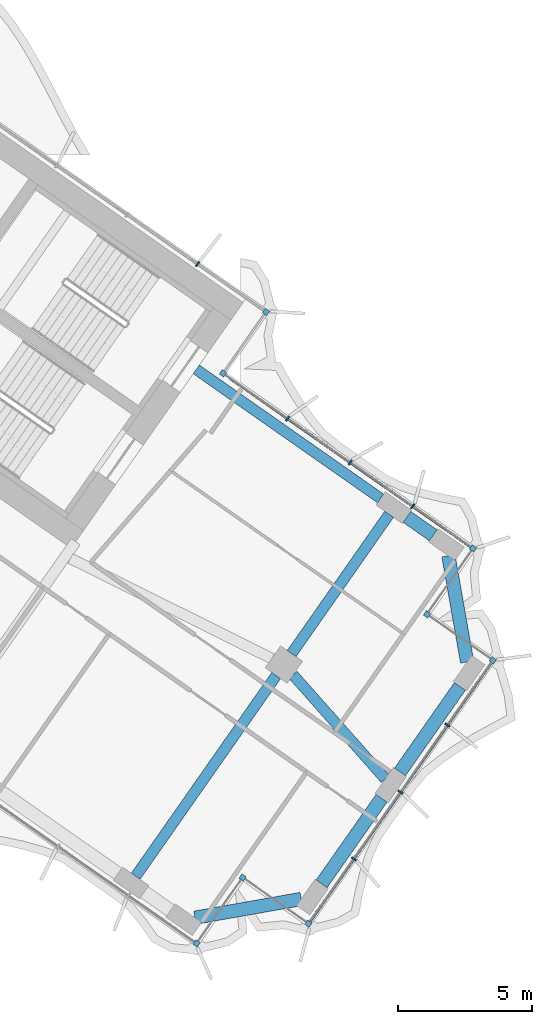
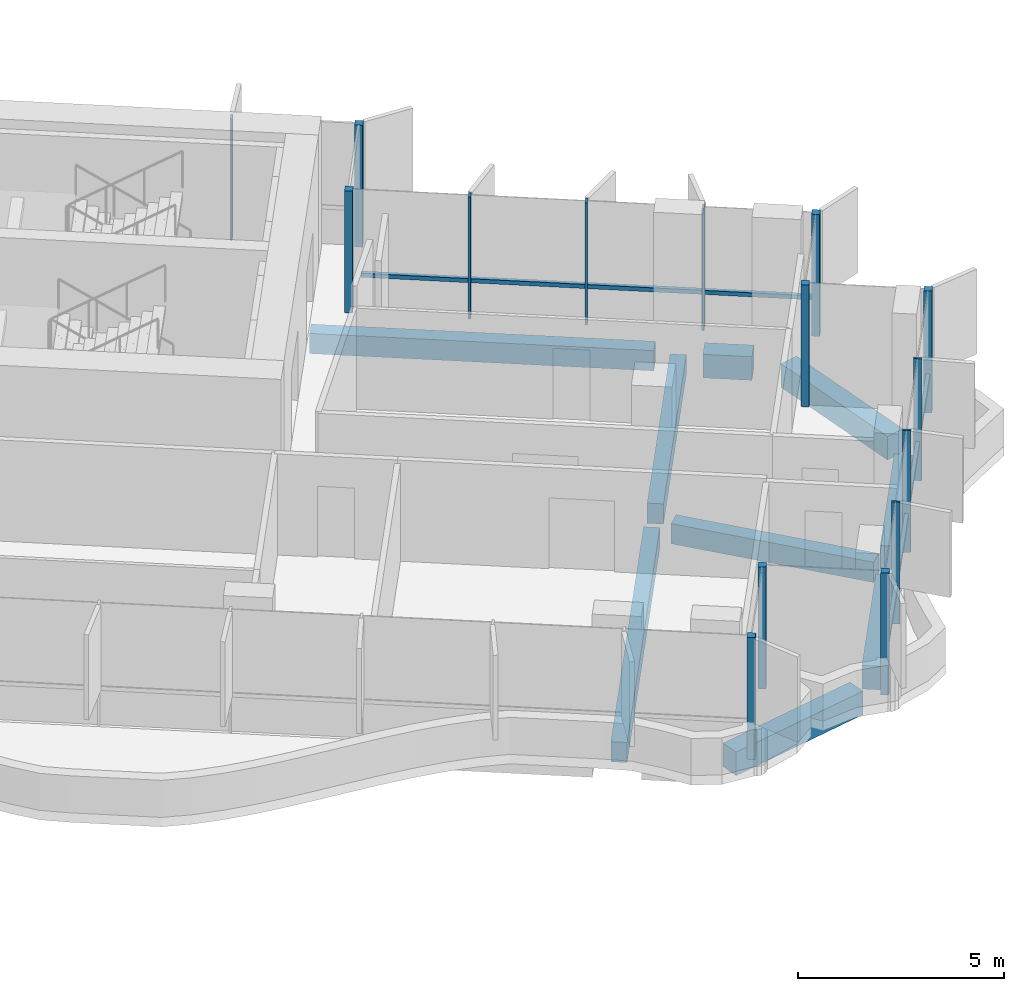
# One storey, part 11 of 23: 17 members, 9 beams, 2 elements without a shape of their own.
"""IFC4 building model written with IfcOpenShell, lengths in metres."""

from ifc_helpers import new_model, si_unit, direction, frame, origin, origin_2d, place, context, subcontext, project, spatial, rectangle, extrude, material, material_profile, profile_set, type_object, element, aggregate, save


model = new_model("IFC4")

# Units and contexts
model_context = context("Model", 3, precision=1e-05, world=origin(), true_north=direction((0.0, 1.0)))
body_context = subcontext(model_context, "Body", "Model", "MODEL_VIEW")
ifc_project = project(units=[si_unit("LENGTHUNIT", "METRE"), si_unit("AREAUNIT", "SQUARE_METRE"), si_unit("VOLUMEUNIT", "CUBIC_METRE"), si_unit("PLANEANGLEUNIT", "RADIAN"), si_unit("MASSUNIT", "GRAM", prefix="KILO")], contexts=[model_context])

# Site, building, storey
site_placement = place(None, origin())
site = spatial("IfcSite", under=ifc_project, at=site_placement, CompositionType="ELEMENT")
building_placement = place(site_placement, origin())
building = spatial("IfcBuilding", under=site, at=building_placement, Name="Tel Ilan Convention Tower", CompositionType="ELEMENT")
storey_placement = place(building_placement, frame((0.0, 0.0, 182.699951171875)))
storey = spatial("IfcBuildingStorey", under=building, at=storey_placement, Name="L42", CompositionType="ELEMENT", Elevation=182.699951171875)

# Beams
ifc_material_1 = material(Name="Concrete C40/50", Category="concrete")
ifc_material_profile_1 = material_profile(ifc_material_1, rectangle(XDim=0.39990234375, YDim=0.60009765625, at=origin_2d()), Name="RC 400x600")
ifc_profile_set_1 = profile_set([ifc_material_profile_1], Name="Concrete C40/50")
beam_type_1 = type_object("IfcBeamType", Name="Beam RC 400x600 Concrete C40/50", PredefinedType="BEAM", material=ifc_profile_set_1)
beam_1_placement = place(storey_placement, frame((33.09912109375, -14.44775390625, -0.579833984375), z_axis=(-0.819147254605, 0.573583276668, 0.0), x_axis=(-0.573583276668, -0.819147254605, 0.0)))
element("IfcBeam", 1, at=beam_1_placement, inside=storey, type_object=beam_type_1, Name="L42 beam E-E-B4-core", PredefinedType="BEAM", context=body_context, shape_type="SweptSolid", body=[
    extrude(rectangle(XDim=0.39990234375, YDim=0.60009765625, at=origin_2d()), origin(), (0.0, 0.0, 1.0), 8.400146484375),
])
beam_2_placement = place(storey_placement, frame((29.830322265625, -21.03369140625, -0.579833984375), z_axis=(0.663175252401, -0.748464150512, 0.0), x_axis=(0.748464150512, 0.663175252401, 0.0)))
element("IfcBeam", 2, at=beam_2_placement, inside=storey, type_object=beam_type_1, Name="L42 beam E-E-M4-end", PredefinedType="BEAM", context=body_context, shape_type="SweptSolid", body=[
    extrude(rectangle(XDim=0.39990234375, YDim=0.60009765625, at=origin_2d()), origin(), (0.0, 0.0, 1.0), 5.192626953125),
])
beam_3_placement = place(storey_placement, frame((29.20263671875, -21.058349609375, -0.579833984375), z_axis=(-0.573557249804, -0.819165478519, 0.0), x_axis=(0.819165478519, -0.573557249804, 0.0)))
element("IfcBeam", 3, at=beam_3_placement, inside=storey, type_object=beam_type_1, Name="L42 beam E-E-M4-E-F4", PredefinedType="BEAM", context=body_context, shape_type="SweptSolid", body=[
    extrude(rectangle(XDim=0.39990234375, YDim=0.60009765625, at=origin_2d()), origin(), (0.0, 0.0, 1.0), 9.14990234375),
])
beam_4_placement = place(storey_placement, frame((29.7763671875, -20.2392578125, -0.579833984375), z_axis=(0.573560394383, 0.819163276762, 0.0), x_axis=(-0.819163276762, 0.573560394383, 0.0)))
element("IfcBeam", 4, at=beam_4_placement, inside=storey, type_object=beam_type_1, Name="L42 beam E-E-M4-E-B4", PredefinedType="BEAM", context=body_context, shape_type="SweptSolid", body=[
    extrude(rectangle(XDim=0.39990234375, YDim=0.60009765625, at=origin_2d()), origin(), (0.0, 0.0, 1.0), 6.349853515625),
])
ifc_material_2 = material(Name="Concrete C40/50", Category="concrete")
ifc_material_profile_2 = material_profile(ifc_material_2, rectangle(XDim=0.5, YDim=0.699951171875, at=origin_2d()), Name="RC 500x700")
ifc_profile_set_2 = profile_set([ifc_material_profile_2], Name="Concrete C40/50")
beam_type_2 = type_object("IfcBeamType", Name="Beam RC 500x700 Concrete C40/50", PredefinedType="BEAM", material=ifc_profile_set_2)
beam_5_placement = place(storey_placement, frame((26.166259765625, -30.102294921875, -0.6298828125), z_axis=(0.984804894423, 0.173664388751, 0.0), x_axis=(-0.173664388751, 0.984804894423, 0.0)))
element("IfcBeam", 5, at=beam_5_placement, inside=storey, type_object=beam_type_2, Name="L42 beam E-E-FC-E-E1", PredefinedType="BEAM", context=body_context, shape_type="SweptSolid", body=[
    extrude(rectangle(XDim=0.5, YDim=0.699951171875, at=origin_2d()), origin(), (0.0, 0.0, 1.0), 4.030517578125),
])
for number, where, z_axis, x_axis, name in (
    (6, (30.8974609375, -28.837158203125, -0.6298828125), (0.573609383536, 0.819128973434, 0.0), (-0.819128973434, 0.573609383536, 0.0), "L42 beam E-E-E1-E-E2"),
    (7, (33.82275390625, -24.659423828125, -0.6298828125), (0.573567378001, 0.81915838694, 0.0), (-0.81915838694, 0.573567378001, 0.0), "L42 beam E-E-E2-E-E3"),
):
    element("IfcBeam", number, at=place(storey_placement, frame(where, z_axis=z_axis, x_axis=x_axis)), inside=storey, type_object=beam_type_2, Name=name, PredefinedType="BEAM", context=body_context, shape_type="SweptSolid", body=[
        extrude(rectangle(XDim=0.5, YDim=0.699951171875, at=origin_2d()), origin(), (0.0, 0.0, 1.0), 3.89990234375),
    ])
beam_6_placement = place(storey_placement, frame((36.330078125, -20.555419921875, -0.6298828125), z_axis=(-0.173664388751, 0.984804894423, 0.0), x_axis=(-0.984804894423, -0.173664388751, 0.0)))
element("IfcBeam", 8, at=beam_6_placement, inside=storey, type_object=beam_type_2, Name="L42 beam E-E-E3-E-BC", PredefinedType="BEAM", context=body_context, shape_type="SweptSolid", body=[
    extrude(rectangle(XDim=0.5, YDim=0.699951171875, at=origin_2d()), origin(), (0.0, 0.0, 1.0), 4.030517578125),
])
beam_7_placement = place(storey_placement, frame((35.06494140625, -15.82421875, -0.6298828125), z_axis=(-0.819155442668, 0.573571582932, 0.0), x_axis=(-0.573571582932, -0.819155442668, 0.0)))
element("IfcBeam", 9, at=beam_7_placement, inside=storey, type_object=beam_type_2, Name="L42 beam E-E-BC-E-B4", PredefinedType="BEAM", context=body_context, shape_type="SweptSolid", body=[
    extrude(rectangle(XDim=0.5, YDim=0.699951171875, at=origin_2d()), origin(), (0.0, 0.0, 1.0), 1.199951171875),
])

# Curtain wall, members
ifc_material_3 = material(Name="Aluminium, bronze anodised", Category="aluminium")
curtain_wall_type_1 = type_object("IfcCurtainWallType", Name="CW2 STICK CURTAIN WALL, SPANDREL PANELS", PredefinedType="NOTDEFINED", material=ifc_material_3)
curtain_wall_1_placement = place(storey_placement, origin())
curtain_wall_1 = element("IfcCurtainWall", 10, at=curtain_wall_1_placement, inside=storey, type_object=curtain_wall_type_1, Name="Curtain wall CW2-32.01", PredefinedType="NOTDEFINED")
ifc_material_4 = material(Name="Aluminium, bronze anodised", Category="aluminium")
ifc_material_profile_3 = material_profile(ifc_material_4, rectangle(XDim=0.199951171875, YDim=0.199951171875, at=origin_2d()), Name="CW CORNER MULLION 200x200")
ifc_profile_set_3 = profile_set([ifc_material_profile_3], Name="Aluminium, bronze anodised")
member_type_1 = type_object("IfcMemberType", Name="CW CORNER MULLION 200x200", PredefinedType="MULLION", material=ifc_profile_set_3)
member_1_placement = place(storey_placement, frame((27.213623046875, -9.77734375, 0.0), z_axis=(0.0, 0.0, 1.0), x_axis=(-0.819152044289, 0.573576436351, 0.0)))
member_1 = element("IfcMember", 11, at=member_1_placement, type_object=member_type_1, Name="Corner mullion", PredefinedType="MULLION", context=body_context, shape_type="SweptSolid", body=[
    extrude(rectangle(XDim=0.199951171875, YDim=0.199951171875, at=origin_2d()), origin(), (0.0, 0.0, 1.0), 3.6201171875),
])
member_2_placement = place(storey_placement, frame((28.819580078125, -7.483642578125, 0.0), z_axis=(0.0, 0.0, 1.0), x_axis=(0.573576436351, 0.819152044289, 0.0)))
member_2 = element("IfcMember", 12, at=member_2_placement, type_object=member_type_1, Name="Corner mullion", PredefinedType="MULLION", context=body_context, shape_type="SweptSolid", body=[
    extrude(rectangle(XDim=0.199951171875, YDim=0.199951171875, at=origin_2d()), origin(), (0.0, 0.0, 1.0), 3.6201171875),
])

ifc_material_5 = material(Name="Aluminium, bronze anodised", Category="aluminium")
curtain_wall_type_2 = type_object("IfcCurtainWallType", Name="CW4 STICK CURTAIN WALL, OFFICE TINTED GLASS", PredefinedType="NOTDEFINED", material=ifc_material_5)
curtain_wall_2_placement = place(storey_placement, origin())
curtain_wall_2 = element("IfcCurtainWall", 13, at=curtain_wall_2_placement, inside=storey, type_object=curtain_wall_type_2, Name="Curtain wall CW4-32.02", PredefinedType="NOTDEFINED")
member_3_placement = place(storey_placement, frame((26.2275390625, -31.060791015625, 0.0), z_axis=(0.0, 0.0, 1.0), x_axis=(0.819152044289, -0.573576436351, 0.0)))
member_3 = element("IfcMember", 14, at=member_3_placement, type_object=member_type_1, Name="Corner mullion", PredefinedType="MULLION", context=body_context, shape_type="SweptSolid", body=[
    extrude(rectangle(XDim=0.199951171875, YDim=0.199951171875, at=origin_2d()), origin(), (0.0, 0.0, 1.0), 3.6201171875),
])
member_4_placement = place(storey_placement, frame((27.9482421875, -28.603271484375, 0.0), z_axis=(0.0, 0.0, 1.0), x_axis=(0.573576436351, 0.819152044289, 0.0)))
member_4 = element("IfcMember", 15, at=member_4_placement, type_object=member_type_1, Name="Corner mullion", PredefinedType="MULLION", context=body_context, shape_type="SweptSolid", body=[
    extrude(rectangle(XDim=0.199951171875, YDim=0.199951171875, at=origin_2d()), origin(), (0.0, 0.0, 1.0), 3.6201171875),
])
member_5_placement = place(storey_placement, frame((30.40576171875, -30.323974609375, 0.0), z_axis=(0.0, 0.0, 1.0), x_axis=(0.819152044289, -0.573576436351, 0.0)))
member_5 = element("IfcMember", 16, at=member_5_placement, type_object=member_type_1, Name="Corner mullion", PredefinedType="MULLION", context=body_context, shape_type="SweptSolid", body=[
    extrude(rectangle(XDim=0.199951171875, YDim=0.199951171875, at=origin_2d()), origin(), (0.0, 0.0, 1.0), 3.6201171875),
])
member_6_placement = place(storey_placement, frame((37.28857421875, -20.494140625, 0.0), z_axis=(0.0, 0.0, 1.0), x_axis=(0.573576436351, 0.819152044289, 0.0)))
member_6 = element("IfcMember", 17, at=member_6_placement, type_object=member_type_1, Name="Corner mullion", PredefinedType="MULLION", context=body_context, shape_type="SweptSolid", body=[
    extrude(rectangle(XDim=0.199951171875, YDim=0.199951171875, at=origin_2d()), origin(), (0.0, 0.0, 1.0), 3.6201171875),
])
member_7_placement = place(storey_placement, frame((34.8310546875, -18.7734375, 0.0), z_axis=(0.0, 0.0, 1.0), x_axis=(-0.819152044289, 0.573576436351, 0.0)))
member_7 = element("IfcMember", 18, at=member_7_placement, type_object=member_type_1, Name="Corner mullion", PredefinedType="MULLION", context=body_context, shape_type="SweptSolid", body=[
    extrude(rectangle(XDim=0.199951171875, YDim=0.199951171875, at=origin_2d()), origin(), (0.0, 0.0, 1.0), 3.6201171875),
])
member_8_placement = place(storey_placement, frame((36.5517578125, -16.31591796875, 0.0), z_axis=(0.0, 0.0, 1.0), x_axis=(0.573576436351, 0.819152044289, 0.0)))
member_8 = element("IfcMember", 19, at=member_8_placement, type_object=member_type_1, Name="Corner mullion", PredefinedType="MULLION", context=body_context, shape_type="SweptSolid", body=[
    extrude(rectangle(XDim=0.199951171875, YDim=0.199951171875, at=origin_2d()), origin(), (0.0, 0.0, 1.0), 3.6201171875),
])

# Member
ifc_material_6 = material(Name="Aluminium, bronze anodised", Category="aluminium")
ifc_material_profile_4 = material_profile(ifc_material_6, rectangle(XDim=0.06005859375, YDim=0.199951171875, at=origin_2d()), Name="CW MULLION 60x200")
ifc_profile_set_4 = profile_set([ifc_material_profile_4], Name="Aluminium, bronze anodised")
member_type_2 = type_object("IfcMemberType", Name="CW MULLION 60x200", PredefinedType="MULLION", material=ifc_profile_set_4)
member_9_placement = place(storey_placement, frame((26.268798828125, -5.697509765625, 0.0), z_axis=(0.0, 0.0, 1.0), x_axis=(-0.819152044289, 0.573576436351, 0.0)))
member_9 = element("IfcMember", 20, at=member_9_placement, type_object=member_type_2, Name="Mullion", PredefinedType="MULLION", context=body_context, shape_type="SweptSolid", body=[
    extrude(rectangle(XDim=0.06005859375, YDim=0.199951171875, at=origin_2d()), origin(), (0.0, 0.0, 1.0), 3.6201171875),
])

aggregate(curtain_wall_1, [member_1, member_2, member_9])

member_10_placement = place(storey_placement, frame((32.09765625, -27.907470703125, 0.0), z_axis=(0.0, 0.0, 1.0), x_axis=(0.573576436351, 0.819152044289, 0.0)))
member_10 = element("IfcMember", 21, at=member_10_placement, type_object=member_type_2, Name="Mullion", PredefinedType="MULLION", context=body_context, shape_type="SweptSolid", body=[
    extrude(rectangle(XDim=0.06005859375, YDim=0.199951171875, at=origin_2d()), origin(), (0.0, 0.0, 1.0), 3.6201171875),
])

member_11_placement = place(storey_placement, frame((33.84716796875, -25.4091796875, 0.0), z_axis=(0.0, 0.0, 1.0), x_axis=(0.573576436351, 0.819152044289, 0.0)))
member_11 = element("IfcMember", 22, at=member_11_placement, type_object=member_type_2, Name="Mullion", PredefinedType="MULLION", context=body_context, shape_type="SweptSolid", body=[
    extrude(rectangle(XDim=0.06005859375, YDim=0.199951171875, at=origin_2d()), origin(), (0.0, 0.0, 1.0), 3.6201171875),
])

member_12_placement = place(storey_placement, frame((35.596435546875, -22.91064453125, 0.0), z_axis=(0.0, 0.0, 1.0), x_axis=(0.573576436351, 0.819152044289, 0.0)))
member_12 = element("IfcMember", 23, at=member_12_placement, type_object=member_type_2, Name="Mullion", PredefinedType="MULLION", context=body_context, shape_type="SweptSolid", body=[
    extrude(rectangle(XDim=0.06005859375, YDim=0.199951171875, at=origin_2d()), origin(), (0.0, 0.0, 1.0), 3.6201171875),
])

member_13_placement = place(storey_placement, frame((34.299072265625, -14.73876953125, 0.0), z_axis=(0.0, 0.0, 1.0), x_axis=(-0.819152044289, 0.573576436351, 0.0)))
member_13 = element("IfcMember", 24, at=member_13_placement, type_object=member_type_2, Name="Mullion", PredefinedType="MULLION", context=body_context, shape_type="SweptSolid", body=[
    extrude(rectangle(XDim=0.06005859375, YDim=0.199951171875, at=origin_2d()), origin(), (0.0, 0.0, 1.0), 3.6201171875),
])

member_14_placement = place(storey_placement, frame((31.964599609375, -13.10400390625, 0.0), z_axis=(0.0, 0.0, 1.0), x_axis=(-0.819152044289, 0.573576436351, 0.0)))
member_14 = element("IfcMember", 25, at=member_14_placement, type_object=member_type_2, Name="Mullion", PredefinedType="MULLION", context=body_context, shape_type="SweptSolid", body=[
    extrude(rectangle(XDim=0.06005859375, YDim=0.199951171875, at=origin_2d()), origin(), (0.0, 0.0, 1.0), 3.6201171875),
])

member_15_placement = place(storey_placement, frame((29.630126953125, -11.46923828125, 0.0), z_axis=(0.0, 0.0, 1.0), x_axis=(-0.819152044289, 0.573576436351, 0.0)))
member_15 = element("IfcMember", 26, at=member_15_placement, type_object=member_type_2, Name="Mullion", PredefinedType="MULLION", context=body_context, shape_type="SweptSolid", body=[
    extrude(rectangle(XDim=0.06005859375, YDim=0.199951171875, at=origin_2d()), origin(), (0.0, 0.0, 1.0), 3.6201171875),
])

ifc_material_7 = material(Name="Aluminium, bronze anodised", Category="aluminium")
ifc_material_profile_5 = material_profile(ifc_material_7, rectangle(XDim=0.10009765625, YDim=0.1201171875, at=origin_2d()), Name="CW TRANSOM 100x120")
ifc_profile_set_5 = profile_set([ifc_material_profile_5], Name="Aluminium, bronze anodised")
member_type_3 = type_object("IfcMemberType", Name="CW TRANSOM 100x120", PredefinedType="USERDEFINED", material=ifc_profile_set_5)
member_16_placement = place(storey_placement, frame((30.463134765625, -30.2421875, 1.10009765625), z_axis=(0.573567872435, 0.819158040741, 0.0), x_axis=(-0.819158040741, 0.573567872435, 0.0)))
member_16 = element("IfcMember", 27, at=member_16_placement, type_object=member_type_3, Name="Transom", ObjectType="TRANSOM", PredefinedType="USERDEFINED", context=body_context, shape_type="SweptSolid", body=[
    extrude(rectangle(XDim=0.10009765625, YDim=0.1201171875, at=origin_2d()), origin(), (0.0, 0.0, 1.0), 11.800048828125),
])

member_17_placement = place(storey_placement, frame((36.469970703125, -16.258544921875, 1.10009765625), z_axis=(-0.819154753687, 0.57357256691, 0.0), x_axis=(-0.57357256691, -0.819154753687, 0.0)))
member_17 = element("IfcMember", 28, at=member_17_placement, type_object=member_type_3, Name="Transom", ObjectType="TRANSOM", PredefinedType="USERDEFINED", context=body_context, shape_type="SweptSolid", body=[
    extrude(rectangle(XDim=0.10009765625, YDim=0.1201171875, at=origin_2d()), origin(), (0.0, 0.0, 1.0), 11.0),
])

aggregate(curtain_wall_2, [member_3, member_4, member_5, member_10, member_11, member_12, member_6, member_16, member_7, member_8, member_13, member_14, member_15, member_17])

save(model, "model.ifc")
